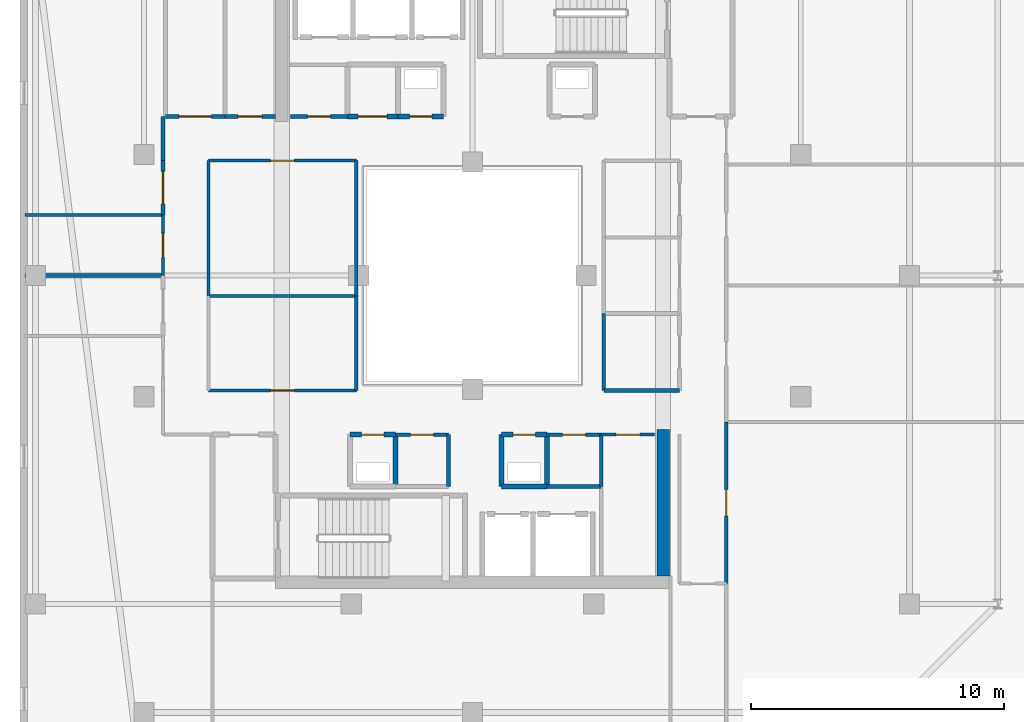
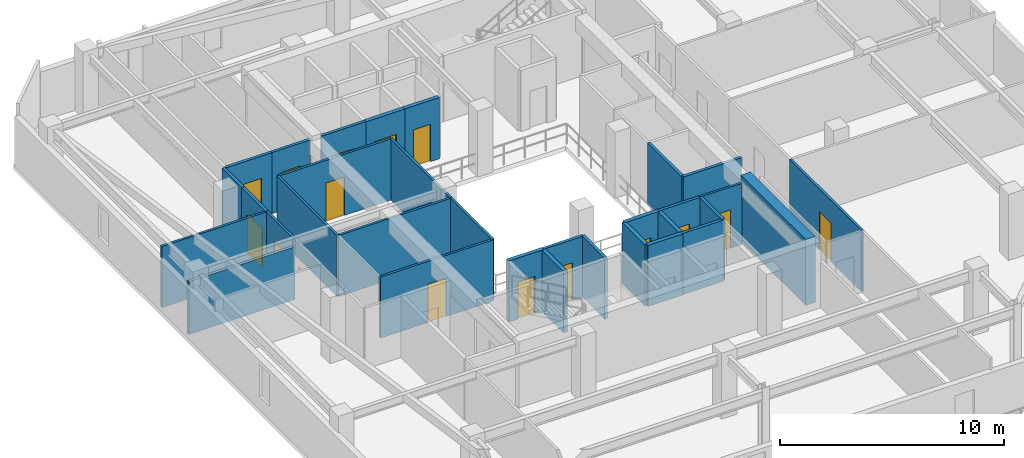
# One storey, part 22 of 35: 32 walls, 15 doors, 15 openings.
"""IFC4 building model written with IfcOpenShell, lengths in metres."""

from ifc_helpers import new_model, si_unit, direction, frame, frame_2d, origin, place, context, subcontext, project, spatial, rectangle, extrude, material, layer, layer_set, type_object, element, fill, save


model = new_model("IFC4")

# Units and contexts
model_context = context("Model", 3, precision=1e-05, world=origin(), true_north=direction((0.0, 1.0)))
body_context = subcontext(model_context, "Body", "Model", "MODEL_VIEW")
ifc_project = project(units=[si_unit("LENGTHUNIT", "METRE"), si_unit("AREAUNIT", "SQUARE_METRE"), si_unit("VOLUMEUNIT", "CUBIC_METRE"), si_unit("PLANEANGLEUNIT", "RADIAN"), si_unit("MASSUNIT", "GRAM", prefix="KILO")], contexts=[model_context])

# Site, building, storey
site_placement = place(None, origin())
site = spatial("IfcSite", under=ifc_project, at=site_placement, CompositionType="ELEMENT")
building_placement = place(site_placement, origin())
building = spatial("IfcBuilding", under=site, at=building_placement, Name="Thornwick Lancets Civic Towers", CompositionType="ELEMENT")
storey_placement = place(building_placement, frame((0.0, 0.0, 272.699951171875)))
storey = spatial("IfcBuildingStorey", under=building, at=storey_placement, Name="L73", CompositionType="ELEMENT", Elevation=272.699951171875)

# Walls
ifc_material_1 = material(Name="Concrete blockwork C40/50", Category="masonry")
ifc_layer_1 = layer(ifc_material_1, 0.199951171875, Name="Concrete blockwork C40/50")
ifc_layer_set_1 = layer_set([ifc_layer_1], Name="Concrete blockwork C40/50")
wall_type_1 = type_object("IfcWallType", Name="WALL_COMP_200", PredefinedType="STANDARD", material=ifc_layer_set_1)
wall_1_placement = place(storey_placement, frame((26.64990234375, 18.64990234375, 0.0), z_axis=(0.0, 0.0, 1.0), x_axis=(1.0, 0.0, 0.0)))
element("IfcWall", 1, at=wall_1_placement, inside=storey, type_object=wall_type_1, Name="L73 Partition L73-A-DUCT1 E1", PredefinedType="STANDARD", context=body_context, shape_type="SweptSolid", body=[
    extrude(rectangle(XDim=1.800048828125, YDim=0.199951171875, at=frame_2d((0.89990234375, 0.0))), origin(), (0.0, 0.0, 1.0), 3.340087890625),
])
wall_2_placement = place(storey_placement, frame((28.449951171875, 18.64990234375, 0.0), z_axis=(0.0, 0.0, 1.0), x_axis=(0.0, 1.0, 0.0)))
element("IfcWall", 2, at=wall_2_placement, inside=storey, type_object=wall_type_1, Name="L73 Partition L73-A-DUCT1 E2", PredefinedType="STANDARD", context=body_context, shape_type="SweptSolid", body=[
    extrude(rectangle(XDim=2.050048828125, YDim=0.199951171875, at=frame_2d((1.02490234375, 0.0))), origin(), (0.0, 0.0, 1.0), 3.340087890625),
])

# Wall, opening, door
wall_3_placement = place(storey_placement, frame((28.449951171875, 20.699951171875, 0.0), z_axis=(0.0, 0.0, 1.0), x_axis=(-1.0, 0.0, 0.0)))
wall_3 = element("IfcWall", 3, at=wall_3_placement, inside=storey, type_object=wall_type_1, Name="L73 Partition L73-A-DUCT1 E3", PredefinedType="STANDARD", context=body_context, shape_type="SweptSolid", body=[
    extrude(rectangle(XDim=1.800048828125, YDim=0.199951171875, at=frame_2d((0.89990234375, 0.0))), origin(), (0.0, 0.0, 1.0), 3.340087890625),
])
opening_1_placement = place(wall_3_placement, frame((0.4599609375, 0.0, 0.0)))
opening_1 = element("IfcOpeningElement", 4, at=opening_1_placement, cuts=wall_3, Name="Opening D-L73-3329", PredefinedType="OPENING", context=body_context, shape_type="SweptSolid", body=[
    extrude(rectangle(XDim=0.8798828125, YDim=2.0400390625, at=frame_2d((0.43994140625, 1.02001953125))), frame((0.0, 0.10986328125, 0.0), z_axis=(0.0, -1.0, 0.0), x_axis=(1.0, 0.0, 0.0)), (0.0, 0.0, 1.0), 0.219970703125),
])
ifc_material_2 = material(Name="Steel riser access doorset", Category="steel")
door_type_1 = type_object("IfcDoorType", Name="DOOR_RISER_850", OperationType="NOTDEFINED", PredefinedType="DOOR", material=ifc_material_2)
door_1_placement = place(opening_1_placement, origin())
door_1 = element("IfcDoor", 5, at=door_1_placement, inside=storey, type_object=door_type_1, Name="L73 South Service Duct 1 Door", OperationType="SINGLE_SWING_RIGHT", OverallHeight=2.0400390625, OverallWidth=0.8798828125, PredefinedType="DOOR", context=body_context, shape_type="SweptSolid", body=[
    extrude(rectangle(XDim=0.8798828125, YDim=2.0400390625, at=frame_2d((0.43994140625, 1.02001953125))), frame((0.0, 0.02490234375, 0.0), z_axis=(0.0, -1.0, 0.0), x_axis=(1.0, 0.0, 0.0)), (0.0, 0.0, 1.0), 0.050048828125),
])
fill(opening_1, door_1)

# Walls
for number, where, z_axis, x_axis, name in (
    (6, (26.64990234375, 20.699951171875, 0.0), (0.0, 0.0, 1.0), (0.0, -1.0, 0.0), "L73 Partition L73-A-DUCT1 E4"),
    (7, (22.449951171875, 18.64990234375, 0.0), (0.0, 0.0, 1.0), (0.0, 1.0, 0.0), "L73 Partition L73-A-RISER1 E2"),
):
    element("IfcWall", number, at=place(storey_placement, frame(where, z_axis=z_axis, x_axis=x_axis)), inside=storey, type_object=wall_type_1, Name=name, PredefinedType="STANDARD", context=body_context, shape_type="SweptSolid", body=[
        extrude(rectangle(XDim=2.050048828125, YDim=0.199951171875, at=frame_2d((1.02490234375, 0.0))), origin(), (0.0, 0.0, 1.0), 3.340087890625),
    ])

# Wall, opening, door
wall_4_placement = place(storey_placement, frame((22.449951171875, 20.699951171875, 0.0), z_axis=(0.0, 0.0, 1.0), x_axis=(-1.0, 0.0, 0.0)))
wall_4 = element("IfcWall", 8, at=wall_4_placement, inside=storey, type_object=wall_type_1, Name="L73 Partition L73-A-RISER1 E3", PredefinedType="STANDARD", context=body_context, shape_type="SweptSolid", body=[
    extrude(rectangle(XDim=1.800048828125, YDim=0.199951171875, at=frame_2d((0.89990234375, 0.0))), origin(), (0.0, 0.0, 1.0), 3.340087890625),
])
opening_2_placement = place(wall_4_placement, frame((0.4599609375, 0.0, 0.0)))
opening_2 = element("IfcOpeningElement", 9, at=opening_2_placement, cuts=wall_4, Name="Opening D-L73-3330", PredefinedType="OPENING", context=body_context, shape_type="SweptSolid", body=[
    extrude(rectangle(XDim=0.8798828125, YDim=2.0400390625, at=frame_2d((0.43994140625, 1.02001953125))), frame((0.0, 0.10986328125, 0.0), z_axis=(0.0, -1.0, 0.0), x_axis=(1.0, 0.0, 0.0)), (0.0, 0.0, 1.0), 0.219970703125),
])
door_2_placement = place(opening_2_placement, origin())
door_2 = element("IfcDoor", 10, at=door_2_placement, inside=storey, type_object=door_type_1, Name="L73 South Electrical Riser 1 Door", OperationType="SINGLE_SWING_LEFT", OverallHeight=2.0400390625, OverallWidth=0.8798828125, PredefinedType="DOOR", context=body_context, shape_type="SweptSolid", body=[
    extrude(rectangle(XDim=0.8798828125, YDim=2.0400390625, at=frame_2d((0.43994140625, 1.02001953125))), frame((0.0, 0.02490234375, 0.0), z_axis=(0.0, -1.0, 0.0), x_axis=(1.0, 0.0, 0.0)), (0.0, 0.0, 1.0), 0.050048828125),
])
fill(opening_2, door_2)

wall_5_placement = place(storey_placement, frame((22.550048828125, 33.300048828125, 0.0), z_axis=(0.0, 0.0, 1.0), x_axis=(1.0, 0.0, 0.0)))
wall_5 = element("IfcWall", 11, at=wall_5_placement, inside=storey, type_object=wall_type_1, Name="L73 Partition L73-A-DUCT2 E1", PredefinedType="STANDARD", context=body_context, shape_type="SweptSolid", body=[
    extrude(rectangle(XDim=1.800048828125, YDim=0.199951171875, at=frame_2d((0.89990234375, 0.0))), origin(), (0.0, 0.0, 1.0), 3.340087890625),
])
opening_3_placement = place(wall_5_placement, frame((0.4599609375, 0.0, 0.0)))
opening_3 = element("IfcOpeningElement", 12, at=opening_3_placement, cuts=wall_5, Name="Opening D-L73-3331", PredefinedType="OPENING", context=body_context, shape_type="SweptSolid", body=[
    extrude(rectangle(XDim=0.8798828125, YDim=2.0400390625, at=frame_2d((0.43994140625, 1.02001953125))), frame((0.0, 0.10986328125, 0.0), z_axis=(0.0, -1.0, 0.0), x_axis=(1.0, 0.0, 0.0)), (0.0, 0.0, 1.0), 0.219970703125),
])
door_3_placement = place(opening_3_placement, origin())
door_3 = element("IfcDoor", 13, at=door_3_placement, inside=storey, type_object=door_type_1, Name="L73 North Service Duct 2 Door", OperationType="SINGLE_SWING_RIGHT", OverallHeight=2.0400390625, OverallWidth=0.8798828125, PredefinedType="DOOR", context=body_context, shape_type="SweptSolid", body=[
    extrude(rectangle(XDim=0.8798828125, YDim=2.0400390625, at=frame_2d((0.43994140625, 1.02001953125))), frame((0.0, 0.02490234375, 0.0), z_axis=(0.0, -1.0, 0.0), x_axis=(1.0, 0.0, 0.0)), (0.0, 0.0, 1.0), 0.050048828125),
])
fill(opening_3, door_3)

wall_6_placement = place(storey_placement, frame((22.550048828125, 33.300048828125, 0.0), z_axis=(0.0, 0.0, 1.0), x_axis=(-1.0, 0.0, 0.0)))
wall_6 = element("IfcWall", 14, at=wall_6_placement, inside=storey, type_object=wall_type_1, Name="L73 Partition L73-A-STR E4", PredefinedType="STANDARD", context=body_context, shape_type="SweptSolid", body=[
    extrude(rectangle(XDim=2.0, YDim=0.199951171875, at=frame_2d((1.0, 0.0))), origin(), (0.0, 0.0, 1.0), 3.340087890625),
])
opening_4_placement = place(wall_6_placement, frame((0.425048828125, 0.0, 0.0)))
opening_4 = element("IfcOpeningElement", 15, at=opening_4_placement, cuts=wall_6, Name="Opening D-L73-3337", PredefinedType="OPENING", context=body_context, shape_type="SweptSolid", body=[
    extrude(rectangle(XDim=1.14990234375, YDim=2.10009765625, at=frame_2d((0.574951171875, 1.050048828125))), frame((0.0, 0.10986328125, 0.0), z_axis=(0.0, -1.0, 0.0), x_axis=(1.0, 0.0, 0.0)), (0.0, 0.0, 1.0), 0.219970703125),
])
ifc_material_3 = material(Name="Glazed fire-resisting steel", Category="steel")
door_type_2 = type_object("IfcDoorType", Name="DOOR_LOBBY_FD60", OperationType="NOTDEFINED", PredefinedType="DOOR", material=ifc_material_3)
door_4_placement = place(opening_4_placement, origin())
door_4 = element("IfcDoor", 16, at=door_4_placement, inside=storey, type_object=door_type_2, Name="L73 Tower A Core Records Store Door", OperationType="SINGLE_SWING_RIGHT", OverallHeight=2.10009765625, OverallWidth=1.14990234375, PredefinedType="DOOR", context=body_context, shape_type="SweptSolid", body=[
    extrude(rectangle(XDim=1.14990234375, YDim=2.10009765625, at=frame_2d((0.574951171875, 1.050048828125))), frame((0.0, 0.02490234375, 0.0), z_axis=(0.0, -1.0, 0.0), x_axis=(1.0, 0.0, 0.0)), (0.0, 0.0, 1.0), 0.050048828125),
])
fill(opening_4, door_4)

# Wall
ifc_material_4 = material(Name="Concrete C50/60", Category="concrete")
ifc_layer_2 = layer(ifc_material_4, 0.5, Name="Concrete C50/60")
ifc_layer_set_2 = layer_set([ifc_layer_2], Name="Concrete C50/60")
wall_type_2 = type_object("IfcWallType", Name="WALL_CORE_500", PredefinedType="SHEAR", material=ifc_layer_set_2)
wall_7_placement = place(storey_placement, frame((33.050048828125, 15.10009765625, 0.0), z_axis=(0.0, 0.0, 1.0), x_axis=(0.0, 1.0, 0.0)))
element("IfcWall", 17, at=wall_7_placement, inside=storey, type_object=wall_type_2, Name="L73 Split Core A1 Shear Wall E", PredefinedType="SHEAR", context=body_context, shape_type="SweptSolid", body=[
    extrude(rectangle(XDim=5.7998046875, YDim=0.5, at=frame_2d((2.89990234375, 0.0))), origin(), (0.0, 0.0, 1.0), 3.60009765625),
])

# Wall, opening, door
ifc_material_5 = material(Name="Acoustic gypsum board partition")
ifc_layer_3 = layer(ifc_material_5, 0.1201171875, Name="Acoustic gypsum board partition")
ifc_layer_set_3 = layer_set([ifc_layer_3], Name="Acoustic gypsum board partition")
wall_type_3 = type_object("IfcWallType", Name="WALL_PART_120", PredefinedType="PARTITIONING", material=ifc_layer_set_3)
wall_8_placement = place(storey_placement, frame((30.60009765625, 20.699951171875, 0.0), z_axis=(0.0, 0.0, 1.0), x_axis=(1.0, 0.0, 0.0)))
wall_8 = element("IfcWall", 18, at=wall_8_placement, inside=storey, type_object=wall_type_3, Name="L73 Partition L73-A-ITR E5", PredefinedType="PARTITIONING", context=body_context, shape_type="SweptSolid", body=[
    extrude(rectangle(XDim=2.099853515625, YDim=0.1201171875, at=frame_2d((1.0498046875, 0.0))), origin(), (0.0, 0.0, 1.0), 3.340087890625),
])
opening_5_placement = place(wall_8_placement, frame((0.574951171875, 0.0, 0.0)))
opening_5 = element("IfcOpeningElement", 19, at=opening_5_placement, cuts=wall_8, Name="Opening D-L73-3335", PredefinedType="OPENING", context=body_context, shape_type="SweptSolid", body=[
    extrude(rectangle(XDim=0.949951171875, YDim=2.10009765625, at=frame_2d((0.47509765625, 1.050048828125))), frame((0.0, 0.070068359375, 0.0), z_axis=(0.0, -1.0, 0.0), x_axis=(1.0, 0.0, 0.0)), (0.0, 0.0, 1.0), 0.14013671875),
])
ifc_material_6 = material(Name="European oak acoustic doorset")
door_type_3 = type_object("IfcDoorType", Name="DOOR_OFFICE_950", OperationType="NOTDEFINED", PredefinedType="DOOR", material=ifc_material_6)
door_5_placement = place(opening_5_placement, origin())
door_5 = element("IfcDoor", 20, at=door_5_placement, inside=storey, type_object=door_type_3, Name="L73 Tower A Comms Patch Room Door", OperationType="SINGLE_SWING_RIGHT", OverallHeight=2.10009765625, OverallWidth=0.949951171875, PredefinedType="DOOR", context=body_context, shape_type="SweptSolid", body=[
    extrude(rectangle(XDim=0.949951171875, YDim=2.10009765625, at=frame_2d((0.47509765625, 1.050048828125))), frame((0.0, 0.02490234375, 0.0), z_axis=(0.0, -1.0, 0.0), x_axis=(1.0, 0.0, 0.0)), (0.0, 0.0, 1.0), 0.050048828125),
])
fill(opening_5, door_5)

wall_9_placement = place(storey_placement, frame((13.25, 29.39990234375, 0.0), z_axis=(0.0, 0.0, 1.0), x_axis=(0.0, -1.0, 0.0)))
wall_9 = element("IfcWall", 21, at=wall_9_placement, inside=storey, type_object=wall_type_3, Name="L73 Partition L73-A-W2B E1", PredefinedType="PARTITIONING", context=body_context, shape_type="SweptSolid", body=[
    extrude(rectangle(XDim=2.39990234375, YDim=0.1201171875, at=frame_2d((1.199951171875, 0.0))), origin(), (0.0, 0.0, 1.0), 3.340087890625),
])
opening_6_placement = place(wall_9_placement, frame((0.72509765625, 0.0, 0.0)))
opening_6 = element("IfcOpeningElement", 22, at=opening_6_placement, cuts=wall_9, Name="Opening D-L73-3354", PredefinedType="OPENING", context=body_context, shape_type="SweptSolid", body=[
    extrude(rectangle(XDim=0.949951171875, YDim=2.10009765625, at=frame_2d((0.47509765625, 1.050048828125))), frame((0.0, 0.070068359375, 0.0), z_axis=(0.0, -1.0, 0.0), x_axis=(1.0, 0.0, 0.0)), (0.0, 0.0, 1.0), 0.14013671875),
])
door_6_placement = place(opening_6_placement, origin())
door_6 = element("IfcDoor", 23, at=door_6_placement, inside=storey, type_object=door_type_3, Name="L73 Tower A Senior Counsel Office W2B Door", OperationType="SINGLE_SWING_LEFT", OverallHeight=2.10009765625, OverallWidth=0.949951171875, PredefinedType="DOOR", context=body_context, shape_type="SweptSolid", body=[
    extrude(rectangle(XDim=0.949951171875, YDim=2.10009765625, at=frame_2d((0.47509765625, 1.050048828125))), frame((0.0, 0.02490234375, 0.0), z_axis=(0.0, -1.0, 0.0), x_axis=(1.0, 0.0, 0.0)), (0.0, 0.0, 1.0), 0.050048828125),
])
fill(opening_6, door_6)

# Walls
wall_10_placement = place(storey_placement, frame((7.780029296875, 29.39990234375, 0.0), z_axis=(0.0, 0.0, 1.0), x_axis=(1.0, 0.0, 0.0)))
element("IfcWall", 24, at=wall_10_placement, inside=storey, type_object=wall_type_3, Name="L73 Partition L73-A-W2B E4", PredefinedType="PARTITIONING", context=body_context, shape_type="SweptSolid", body=[
    extrude(rectangle(XDim=5.469970703125, YDim=0.1201171875, at=frame_2d((2.73486328125, 0.0))), origin(), (0.0, 0.0, 1.0), 3.340087890625),
])
wall_11_placement = place(storey_placement, frame((15.050048828125, 26.199951171875, 0.0), z_axis=(0.0, 0.0, 1.0), x_axis=(1.0, 0.0, 0.0)))
element("IfcWall", 25, at=wall_11_placement, inside=storey, type_object=wall_type_3, Name="L73 Partition L73-A-W3 E2", PredefinedType="PARTITIONING", context=body_context, shape_type="SweptSolid", body=[
    extrude(rectangle(XDim=5.849853515625, YDim=0.1201171875, at=frame_2d((2.9248046875, 0.0))), origin(), (0.0, 0.0, 1.0), 3.340087890625),
])
wall_12_placement = place(storey_placement, frame((20.89990234375, 26.199951171875, 0.0), z_axis=(0.0, 0.0, 1.0), x_axis=(0.0, -1.0, 0.0)))
element("IfcWall", 26, at=wall_12_placement, inside=storey, type_object=wall_type_3, Name="L73 Partition L73-A-W3 E3", PredefinedType="PARTITIONING", context=body_context, shape_type="SweptSolid", body=[
    extrude(rectangle(XDim=3.75, YDim=0.1201171875, at=frame_2d((1.875, 0.0))), origin(), (0.0, 0.0, 1.0), 3.340087890625),
])

# Wall, opening, door
wall_13_placement = place(storey_placement, frame((20.89990234375, 22.449951171875, 0.0), z_axis=(0.0, 0.0, 1.0), x_axis=(-1.0, 0.0, 0.0)))
wall_13 = element("IfcWall", 27, at=wall_13_placement, inside=storey, type_object=wall_type_3, Name="L73 Partition L73-A-W3 E4", PredefinedType="PARTITIONING", context=body_context, shape_type="SweptSolid", body=[
    extrude(rectangle(XDim=5.849853515625, YDim=0.1201171875, at=frame_2d((2.9248046875, 0.0))), origin(), (0.0, 0.0, 1.0), 3.340087890625),
])
opening_7_placement = place(wall_13_placement, frame((2.449951171875, 0.0, 0.0)))
opening_7 = element("IfcOpeningElement", 28, at=opening_7_placement, cuts=wall_13, Name="Opening D-L73-3356", PredefinedType="OPENING", context=body_context, shape_type="SweptSolid", body=[
    extrude(rectangle(XDim=0.949951171875, YDim=2.10009765625, at=frame_2d((0.47509765625, 1.050048828125))), frame((0.0, 0.070068359375, 0.0), z_axis=(0.0, -1.0, 0.0), x_axis=(1.0, 0.0, 0.0)), (0.0, 0.0, 1.0), 0.14013671875),
])
door_7_placement = place(opening_7_placement, origin())
door_7 = element("IfcDoor", 29, at=door_7_placement, inside=storey, type_object=door_type_3, Name="L73 Tower A Staff Tea Pantry and Lounge Door", OperationType="SINGLE_SWING_LEFT", OverallHeight=2.10009765625, OverallWidth=0.949951171875, PredefinedType="DOOR", context=body_context, shape_type="SweptSolid", body=[
    extrude(rectangle(XDim=0.949951171875, YDim=2.10009765625, at=frame_2d((0.47509765625, 1.050048828125))), frame((0.0, 0.02490234375, 0.0), z_axis=(0.0, -1.0, 0.0), x_axis=(1.0, 0.0, 0.0)), (0.0, 0.0, 1.0), 0.050048828125),
])
fill(opening_7, door_7)

# Wall
wall_14_placement = place(storey_placement, frame((15.050048828125, 26.199951171875, 0.0), z_axis=(0.0, 0.0, 1.0), x_axis=(0.0, 1.0, 0.0)))
element("IfcWall", 30, at=wall_14_placement, inside=storey, type_object=wall_type_3, Name="L73 Partition L73-A-W4 E1", PredefinedType="PARTITIONING", context=body_context, shape_type="SweptSolid", body=[
    extrude(rectangle(XDim=5.35009765625, YDim=0.1201171875, at=frame_2d((2.675048828125, 0.0))), origin(), (0.0, 0.0, 1.0), 3.340087890625),
])

# Wall, opening, door
wall_15_placement = place(storey_placement, frame((15.050048828125, 31.550048828125, 0.0), z_axis=(0.0, 0.0, 1.0), x_axis=(1.0, 0.0, 0.0)))
wall_15 = element("IfcWall", 31, at=wall_15_placement, inside=storey, type_object=wall_type_3, Name="L73 Partition L73-A-W4 E2", PredefinedType="PARTITIONING", context=body_context, shape_type="SweptSolid", body=[
    extrude(rectangle(XDim=5.849853515625, YDim=0.1201171875, at=frame_2d((2.9248046875, 0.0))), origin(), (0.0, 0.0, 1.0), 3.340087890625),
])
opening_8_placement = place(wall_15_placement, frame((2.449951171875, 0.0, 0.0)))
opening_8 = element("IfcOpeningElement", 32, at=opening_8_placement, cuts=wall_15, Name="Opening D-L73-3357", PredefinedType="OPENING", context=body_context, shape_type="SweptSolid", body=[
    extrude(rectangle(XDim=0.949951171875, YDim=2.10009765625, at=frame_2d((0.47509765625, 1.050048828125))), frame((0.0, 0.070068359375, 0.0), z_axis=(0.0, -1.0, 0.0), x_axis=(1.0, 0.0, 0.0)), (0.0, 0.0, 1.0), 0.14013671875),
])
door_8_placement = place(opening_8_placement, origin())
door_8 = element("IfcDoor", 33, at=door_8_placement, inside=storey, type_object=door_type_3, Name="L73 Tower A Statutory Research Library W4 Door", OperationType="SINGLE_SWING_RIGHT", OverallHeight=2.10009765625, OverallWidth=0.949951171875, PredefinedType="DOOR", context=body_context, shape_type="SweptSolid", body=[
    extrude(rectangle(XDim=0.949951171875, YDim=2.10009765625, at=frame_2d((0.47509765625, 1.050048828125))), frame((0.0, 0.02490234375, 0.0), z_axis=(0.0, -1.0, 0.0), x_axis=(1.0, 0.0, 0.0)), (0.0, 0.0, 1.0), 0.050048828125),
])
fill(opening_8, door_8)

# Wall
wall_16_placement = place(storey_placement, frame((20.89990234375, 31.550048828125, 0.0), z_axis=(0.0, 0.0, 1.0), x_axis=(0.0, -1.0, 0.0)))
element("IfcWall", 34, at=wall_16_placement, inside=storey, type_object=wall_type_3, Name="L73 Partition L73-A-W4 E3", PredefinedType="PARTITIONING", context=body_context, shape_type="SweptSolid", body=[
    extrude(rectangle(XDim=5.35009765625, YDim=0.1201171875, at=frame_2d((2.675048828125, 0.0))), origin(), (0.0, 0.0, 1.0), 3.340087890625),
])

# Wall, opening, door
wall_17_placement = place(storey_placement, frame((35.550048828125, 14.800048828125, 0.0), z_axis=(0.0, 0.0, 1.0), x_axis=(0.0, 1.0, 0.0)))
wall_17 = element("IfcWall", 35, at=wall_17_placement, inside=storey, type_object=wall_type_3, Name="L73 Partition L73-A-E1 E3", PredefinedType="PARTITIONING", context=body_context, shape_type="SweptSolid", body=[
    extrude(rectangle(XDim=6.39990234375, YDim=0.1201171875, at=frame_2d((3.199951171875, 0.0))), origin(), (0.0, 0.0, 1.0), 3.340087890625),
])
opening_9_placement = place(wall_17_placement, frame((2.675048828125, 0.0, 0.0)))
opening_9 = element("IfcOpeningElement", 36, at=opening_9_placement, cuts=wall_17, Name="Opening D-L73-3358", PredefinedType="OPENING", context=body_context, shape_type="SweptSolid", body=[
    extrude(rectangle(XDim=1.050048828125, YDim=2.10009765625, at=frame_2d((0.52490234375, 1.050048828125))), frame((0.0, 0.070068359375, 0.0), z_axis=(0.0, -1.0, 0.0), x_axis=(1.0, 0.0, 0.0)), (0.0, 0.0, 1.0), 0.14013671875),
])
ifc_material_7 = material(Name="Glazed European oak executive doorset")
door_type_4 = type_object("IfcDoorType", Name="DOOR_OFFICE_1050", OperationType="NOTDEFINED", PredefinedType="DOOR", material=ifc_material_7)
door_9_placement = place(opening_9_placement, origin())
door_9 = element("IfcDoor", 37, at=door_9_placement, inside=storey, type_object=door_type_4, Name="L73 Tower A Secretariat Open Office E1 Door", OperationType="SINGLE_SWING_LEFT", OverallHeight=2.10009765625, OverallWidth=1.050048828125, PredefinedType="DOOR", context=body_context, shape_type="SweptSolid", body=[
    extrude(rectangle(XDim=1.050048828125, YDim=2.10009765625, at=frame_2d((0.52490234375, 1.050048828125))), frame((0.0, 0.02490234375, 0.0), z_axis=(0.0, -1.0, 0.0), x_axis=(1.0, 0.0, 0.0)), (0.0, 0.0, 1.0), 0.050048828125),
])
fill(opening_9, door_9)

# Wall
ifc_material_8 = material(Name="Twin-stud acoustic gypsum board")
ifc_layer_4 = layer(ifc_material_8, 0.14990234375, Name="Twin-stud acoustic gypsum board")
ifc_layer_set_4 = layer_set([ifc_layer_4], Name="Twin-stud acoustic gypsum board")
wall_type_4 = type_object("IfcWallType", Name="WALL_PART_150", PredefinedType="PARTITIONING", material=ifc_layer_set_4)
wall_18_placement = place(storey_placement, frame((24.550048828125, 20.699951171875, 0.0), z_axis=(0.0, 0.0, 1.0), x_axis=(0.0, -1.0, 0.0)))
element("IfcWall", 38, at=wall_18_placement, inside=storey, type_object=wall_type_4, Name="L73 Partition L73-A-MWC E1", PredefinedType="PARTITIONING", context=body_context, shape_type="SweptSolid", body=[
    extrude(rectangle(XDim=2.050048828125, YDim=0.14990234375, at=frame_2d((1.02490234375, 0.0))), origin(), (0.0, 0.0, 1.0), 3.340087890625),
])

# Wall, opening, door
wall_19_placement = place(storey_placement, frame((22.449951171875, 20.699951171875, 0.0), z_axis=(0.0, 0.0, 1.0), x_axis=(1.0, 0.0, 0.0)))
wall_19 = element("IfcWall", 39, at=wall_19_placement, inside=storey, type_object=wall_type_4, Name="L73 Partition L73-A-MWC E4", PredefinedType="PARTITIONING", context=body_context, shape_type="SweptSolid", body=[
    extrude(rectangle(XDim=2.10009765625, YDim=0.14990234375, at=frame_2d((1.050048828125, 0.0))), origin(), (0.0, 0.0, 1.0), 3.340087890625),
])
opening_10_placement = place(wall_19_placement, frame((0.590087890625, 0.0, 0.0)))
opening_10 = element("IfcOpeningElement", 40, at=opening_10_placement, cuts=wall_19, Name="Opening D-L73-3333", PredefinedType="OPENING", context=body_context, shape_type="SweptSolid", body=[
    extrude(rectangle(XDim=0.919921875, YDim=2.080078125, at=frame_2d((0.4599609375, 1.0400390625))), frame((0.0, 0.0849609375, 0.0), z_axis=(0.0, -1.0, 0.0), x_axis=(1.0, 0.0, 0.0)), (0.0, 0.0, 1.0), 0.169921875),
])
ifc_material_9 = material(Name="Moisture-resistant oak doorset")
door_type_5 = type_object("IfcDoorType", Name="DOOR_WC_900", OperationType="NOTDEFINED", PredefinedType="DOOR", material=ifc_material_9)
door_10_placement = place(opening_10_placement, origin())
door_10 = element("IfcDoor", 41, at=door_10_placement, inside=storey, type_object=door_type_5, Name="L73 Tower A Male WC Door", OperationType="SINGLE_SWING_RIGHT", OverallHeight=2.080078125, OverallWidth=0.919921875, PredefinedType="DOOR", context=body_context, shape_type="SweptSolid", body=[
    extrude(rectangle(XDim=0.919921875, YDim=2.080078125, at=frame_2d((0.4599609375, 1.0400390625))), frame((0.0, 0.02490234375, 0.0), z_axis=(0.0, -1.0, 0.0), x_axis=(1.0, 0.0, 0.0)), (0.0, 0.0, 1.0), 0.050048828125),
])
fill(opening_10, door_10)

# Walls
wall_20_placement = place(storey_placement, frame((30.60009765625, 20.699951171875, 0.0), z_axis=(0.0, 0.0, 1.0), x_axis=(0.0, -1.0, 0.0)))
element("IfcWall", 42, at=wall_20_placement, inside=storey, type_object=wall_type_4, Name="L73 Partition L73-A-FWC E1", PredefinedType="PARTITIONING", context=body_context, shape_type="SweptSolid", body=[
    extrude(rectangle(XDim=2.050048828125, YDim=0.14990234375, at=frame_2d((1.02490234375, 0.0))), origin(), (0.0, 0.0, 1.0), 3.340087890625),
])
wall_21_placement = place(storey_placement, frame((30.60009765625, 18.64990234375, 0.0), z_axis=(0.0, 0.0, 1.0), x_axis=(-1.0, 0.0, 0.0)))
element("IfcWall", 43, at=wall_21_placement, inside=storey, type_object=wall_type_4, Name="L73 Partition L73-A-FWC E2", PredefinedType="PARTITIONING", context=body_context, shape_type="SweptSolid", body=[
    extrude(rectangle(XDim=2.150146484375, YDim=0.14990234375, at=frame_2d((1.0751953125, 0.0))), origin(), (0.0, 0.0, 1.0), 3.340087890625),
])

# Wall, opening, door
wall_22_placement = place(storey_placement, frame((28.449951171875, 20.699951171875, 0.0), z_axis=(0.0, 0.0, 1.0), x_axis=(1.0, 0.0, 0.0)))
wall_22 = element("IfcWall", 44, at=wall_22_placement, inside=storey, type_object=wall_type_4, Name="L73 Partition L73-A-FWC E4", PredefinedType="PARTITIONING", context=body_context, shape_type="SweptSolid", body=[
    extrude(rectangle(XDim=2.150146484375, YDim=0.14990234375, at=frame_2d((1.0751953125, 0.0))), origin(), (0.0, 0.0, 1.0), 3.340087890625),
])
opening_11_placement = place(wall_22_placement, frame((0.614990234375, 0.0, 0.0)))
opening_11 = element("IfcOpeningElement", 45, at=opening_11_placement, cuts=wall_22, Name="Opening D-L73-3334", PredefinedType="OPENING", context=body_context, shape_type="SweptSolid", body=[
    extrude(rectangle(XDim=0.919921875, YDim=2.080078125, at=frame_2d((0.4599609375, 1.0400390625))), frame((0.0, 0.0849609375, 0.0), z_axis=(0.0, -1.0, 0.0), x_axis=(1.0, 0.0, 0.0)), (0.0, 0.0, 1.0), 0.169921875),
])
door_11_placement = place(opening_11_placement, origin())
door_11 = element("IfcDoor", 46, at=door_11_placement, inside=storey, type_object=door_type_5, Name="L73 Tower A Female WC Door", OperationType="SINGLE_SWING_LEFT", OverallHeight=2.080078125, OverallWidth=0.919921875, PredefinedType="DOOR", context=body_context, shape_type="SweptSolid", body=[
    extrude(rectangle(XDim=0.919921875, YDim=2.080078125, at=frame_2d((0.4599609375, 1.0400390625))), frame((0.0, 0.02490234375, 0.0), z_axis=(0.0, -1.0, 0.0), x_axis=(1.0, 0.0, 0.0)), (0.0, 0.0, 1.0), 0.050048828125),
])
fill(opening_11, door_11)

wall_23_placement = place(storey_placement, frame((18.300048828125, 33.300048828125, 0.0), z_axis=(0.0, 0.0, 1.0), x_axis=(1.0, 0.0, 0.0)))
wall_23 = element("IfcWall", 47, at=wall_23_placement, inside=storey, type_object=wall_type_4, Name="L73 Partition L73-A-AWC E1", PredefinedType="PARTITIONING", context=body_context, shape_type="SweptSolid", body=[
    extrude(rectangle(XDim=2.25, YDim=0.14990234375, at=frame_2d((1.125, 0.0))), origin(), (0.0, 0.0, 1.0), 3.340087890625),
])
opening_12_placement = place(wall_23_placement, frame((0.6650390625, 0.0, 0.0)))
opening_12 = element("IfcOpeningElement", 48, at=opening_12_placement, cuts=wall_23, Name="Opening D-L73-3336", PredefinedType="OPENING", context=body_context, shape_type="SweptSolid", body=[
    extrude(rectangle(XDim=0.919921875, YDim=2.080078125, at=frame_2d((0.4599609375, 1.0400390625))), frame((0.0, 0.0849609375, 0.0), z_axis=(0.0, -1.0, 0.0), x_axis=(1.0, 0.0, 0.0)), (0.0, 0.0, 1.0), 0.169921875),
])
door_12_placement = place(opening_12_placement, origin())
door_12 = element("IfcDoor", 49, at=door_12_placement, inside=storey, type_object=door_type_5, Name="L73 Tower A Accessible WC Door", OperationType="SINGLE_SWING_LEFT", OverallHeight=2.080078125, OverallWidth=0.919921875, PredefinedType="DOOR", context=body_context, shape_type="SweptSolid", body=[
    extrude(rectangle(XDim=0.919921875, YDim=2.080078125, at=frame_2d((0.4599609375, 1.0400390625))), frame((0.0, 0.02490234375, 0.0), z_axis=(0.0, -1.0, 0.0), x_axis=(1.0, 0.0, 0.0)), (0.0, 0.0, 1.0), 0.050048828125),
])
fill(opening_12, door_12)

wall_24_placement = place(storey_placement, frame((15.699951171875, 33.300048828125, 0.0), z_axis=(0.0, 0.0, 1.0), x_axis=(-1.0, 0.0, 0.0)))
wall_24 = element("IfcWall", 50, at=wall_24_placement, inside=storey, type_object=wall_type_4, Name="L73 Partition L73-A-RECLAIM-M1 E4", PredefinedType="PARTITIONING", context=body_context, shape_type="SweptSolid", body=[
    extrude(rectangle(XDim=2.349853515625, YDim=0.14990234375, at=frame_2d((1.1748046875, 0.0))), origin(), (0.0, 0.0, 1.0), 3.340087890625),
])
opening_13_placement = place(wall_24_placement, frame((0.52490234375, 0.0, 0.0)))
opening_13 = element("IfcOpeningElement", 51, at=opening_13_placement, cuts=wall_24, Name="Opening D-L73-3350", PredefinedType="OPENING", context=body_context, shape_type="SweptSolid", body=[
    extrude(rectangle(XDim=1.300048828125, YDim=2.1201171875, at=frame_2d((0.64990234375, 1.06005859375))), frame((0.0, 0.0849609375, 0.0), z_axis=(0.0, -1.0, 0.0), x_axis=(1.0, 0.0, 0.0)), (0.0, 0.0, 1.0), 0.169921875),
])
ifc_material_10 = material(Name="Acoustic oak leaf-and-a-half doorset")
door_type_6 = type_object("IfcDoorType", Name="DOOR_MEET_1300", OperationType="DOUBLE_DOOR_SINGLE_SWING", PredefinedType="DOOR", material=ifc_material_10)
door_13_placement = place(opening_13_placement, origin())
door_13 = element("IfcDoor", 52, at=door_13_placement, inside=storey, type_object=door_type_6, Name="L73 Tower A Diplomatic Conference Room Door", OperationType="DOUBLE_DOOR_SINGLE_SWING", OverallHeight=2.1201171875, OverallWidth=1.300048828125, PredefinedType="DOOR", context=body_context, shape_type="SweptSolid", body=[
    extrude(rectangle(XDim=1.300048828125, YDim=2.1201171875, at=frame_2d((0.64990234375, 1.06005859375))), frame((0.0, 0.02490234375, 0.0), z_axis=(0.0, -1.0, 0.0), x_axis=(1.0, 0.0, 0.0)), (0.0, 0.0, 1.0), 0.050048828125),
])
fill(opening_13, door_13)

wall_25_placement = place(storey_placement, frame((17.699951171875, 33.300048828125, 0.0), z_axis=(0.0, 0.0, 1.0), x_axis=(-1.0, 0.0, 0.0)))
wall_25 = element("IfcWall", 53, at=wall_25_placement, inside=storey, type_object=wall_type_4, Name="L73 Partition L73-A-RECLAIM-M2 E4", PredefinedType="PARTITIONING", context=body_context, shape_type="SweptSolid", body=[
    extrude(rectangle(XDim=2.0, YDim=0.14990234375, at=frame_2d((1.0, 0.0))), origin(), (0.0, 0.0, 1.0), 3.340087890625),
])
opening_14_placement = place(wall_25_placement, frame((0.52490234375, 0.0, 0.0)))
opening_14 = element("IfcOpeningElement", 54, at=opening_14_placement, cuts=wall_25, Name="Opening D-L73-3351", PredefinedType="OPENING", context=body_context, shape_type="SweptSolid", body=[
    extrude(rectangle(XDim=0.949951171875, YDim=2.10009765625, at=frame_2d((0.47509765625, 1.050048828125))), frame((0.0, 0.0849609375, 0.0), z_axis=(0.0, -1.0, 0.0), x_axis=(1.0, 0.0, 0.0)), (0.0, 0.0, 1.0), 0.169921875),
])
door_14_placement = place(opening_14_placement, origin())
door_14 = element("IfcDoor", 55, at=door_14_placement, inside=storey, type_object=door_type_3, Name="L73 Tower A Executive Records Archive Door", OperationType="SINGLE_SWING_RIGHT", OverallHeight=2.10009765625, OverallWidth=0.949951171875, PredefinedType="DOOR", context=body_context, shape_type="SweptSolid", body=[
    extrude(rectangle(XDim=0.949951171875, YDim=2.10009765625, at=frame_2d((0.47509765625, 1.050048828125))), frame((0.0, 0.02490234375, 0.0), z_axis=(0.0, -1.0, 0.0), x_axis=(1.0, 0.0, 0.0)), (0.0, 0.0, 1.0), 0.050048828125),
])
fill(opening_14, door_14)

# Walls
wall_26_placement = place(storey_placement, frame((7.780029296875, 27.0, 0.0), z_axis=(0.0, 0.0, 1.0), x_axis=(1.0, 0.0, 0.0)))
element("IfcWall", 56, at=wall_26_placement, inside=storey, type_object=wall_type_4, Name="L73 Partition L73-A-W2 E4", PredefinedType="PARTITIONING", context=body_context, shape_type="SweptSolid", body=[
    extrude(rectangle(XDim=5.469970703125, YDim=0.14990234375, at=frame_2d((2.73486328125, 0.0))), origin(), (0.0, 0.0, 1.0), 2.881591796875),
])
wall_27_placement = place(storey_placement, frame((13.25, 33.300048828125, 0.0), z_axis=(0.0, 0.0, 1.0), x_axis=(0.0, -1.0, 0.0)))
element("IfcWall", 57, at=wall_27_placement, inside=storey, type_object=wall_type_4, Name="L73 Partition L73-A-W2C E5", PredefinedType="PARTITIONING", context=body_context, shape_type="SweptSolid", body=[
    extrude(rectangle(XDim=1.75, YDim=0.14990234375, at=frame_2d((0.875, 0.0))), origin(), (0.0, 0.0, 1.0), 3.340087890625),
])

# Wall, opening, door
wall_28_placement = place(storey_placement, frame((13.25, 31.550048828125, 0.0), z_axis=(0.0, 0.0, 1.0), x_axis=(0.0, -1.0, 0.0)))
wall_28 = element("IfcWall", 58, at=wall_28_placement, inside=storey, type_object=wall_type_4, Name="L73 Partition L73-A-W2C E6", PredefinedType="PARTITIONING", context=body_context, shape_type="SweptSolid", body=[
    extrude(rectangle(XDim=2.150146484375, YDim=0.14990234375, at=frame_2d((1.0751953125, 0.0))), origin(), (0.0, 0.0, 1.0), 3.340087890625),
])
opening_15_placement = place(wall_28_placement, frame((0.425048828125, 0.0, 0.0)))
opening_15 = element("IfcOpeningElement", 59, at=opening_15_placement, cuts=wall_28, Name="Opening D-L73-3355", PredefinedType="OPENING", context=body_context, shape_type="SweptSolid", body=[
    extrude(rectangle(XDim=1.300048828125, YDim=2.1201171875, at=frame_2d((0.64990234375, 1.06005859375))), frame((0.0, 0.0849609375, 0.0), z_axis=(0.0, -1.0, 0.0), x_axis=(1.0, 0.0, 0.0)), (0.0, 0.0, 1.0), 0.169921875),
])
door_15_placement = place(opening_15_placement, origin())
door_15 = element("IfcDoor", 60, at=door_15_placement, inside=storey, type_object=door_type_6, Name="L73 Tower A Statutory Hearing Room W2C Door", OperationType="DOUBLE_DOOR_SINGLE_SWING", OverallHeight=2.1201171875, OverallWidth=1.300048828125, PredefinedType="DOOR", context=body_context, shape_type="SweptSolid", body=[
    extrude(rectangle(XDim=1.300048828125, YDim=2.1201171875, at=frame_2d((0.64990234375, 1.06005859375))), frame((0.0, 0.02490234375, 0.0), z_axis=(0.0, -1.0, 0.0), x_axis=(1.0, 0.0, 0.0)), (0.0, 0.0, 1.0), 0.050048828125),
])
fill(opening_15, door_15)

# Walls
wall_29_placement = place(storey_placement, frame((30.699951171875, 22.449951171875, 0.0), z_axis=(0.0, 0.0, 1.0), x_axis=(0.0, 1.0, 0.0)))
element("IfcWall", 61, at=wall_29_placement, inside=storey, type_object=wall_type_4, Name="L73 Partition L73-A-E-ATR-1 E1", PredefinedType="PARTITIONING", context=body_context, shape_type="SweptSolid", body=[
    extrude(rectangle(XDim=3.050048828125, YDim=0.14990234375, at=frame_2d((1.52490234375, 0.0))), origin(), (0.0, 0.0, 1.0), 3.340087890625),
])
wall_30_placement = place(storey_placement, frame((33.699951171875, 22.449951171875, 0.0), z_axis=(0.0, 0.0, 1.0), x_axis=(-1.0, 0.0, 0.0)))
element("IfcWall", 62, at=wall_30_placement, inside=storey, type_object=wall_type_4, Name="L73 Partition L73-A-E-ATR-1 E4", PredefinedType="PARTITIONING", context=body_context, shape_type="SweptSolid", body=[
    extrude(rectangle(XDim=3.0, YDim=0.14990234375, at=frame_2d((1.5, 0.0))), origin(), (0.0, 0.0, 1.0), 3.340087890625),
])

save(model, "model.ifc")
